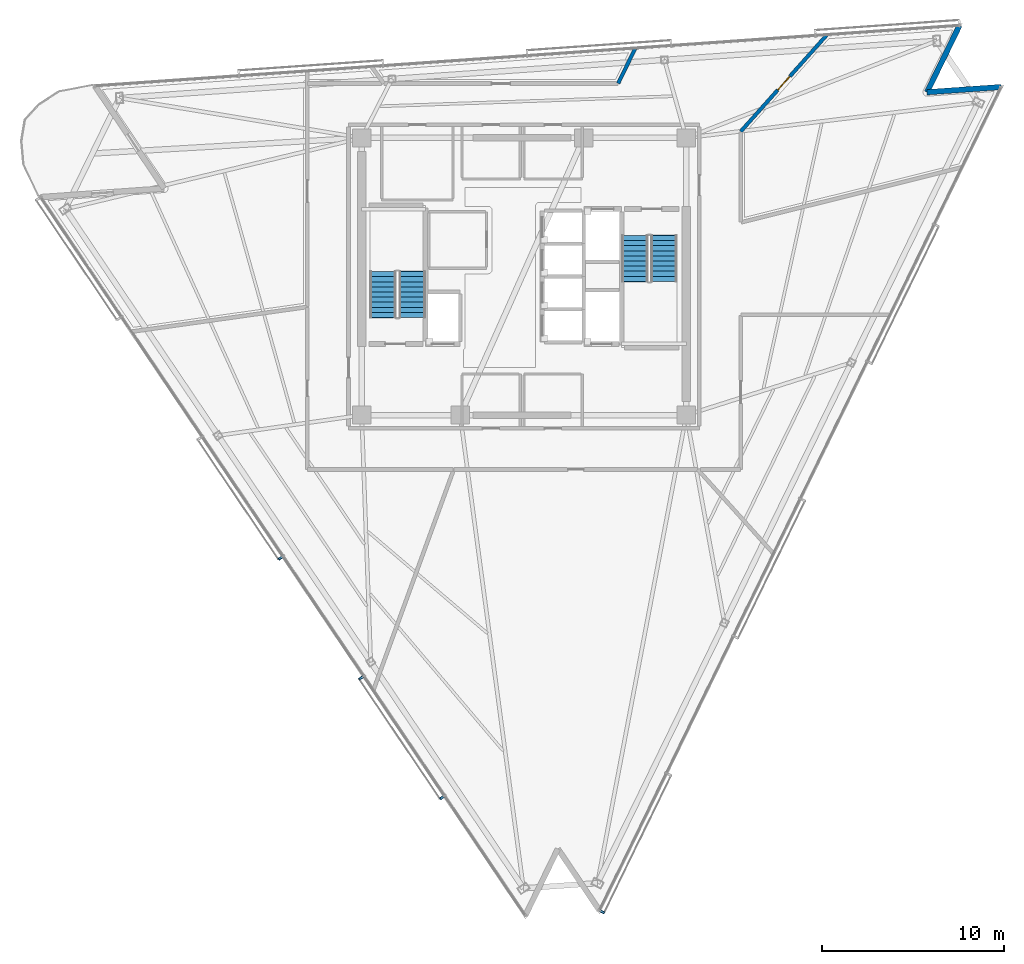
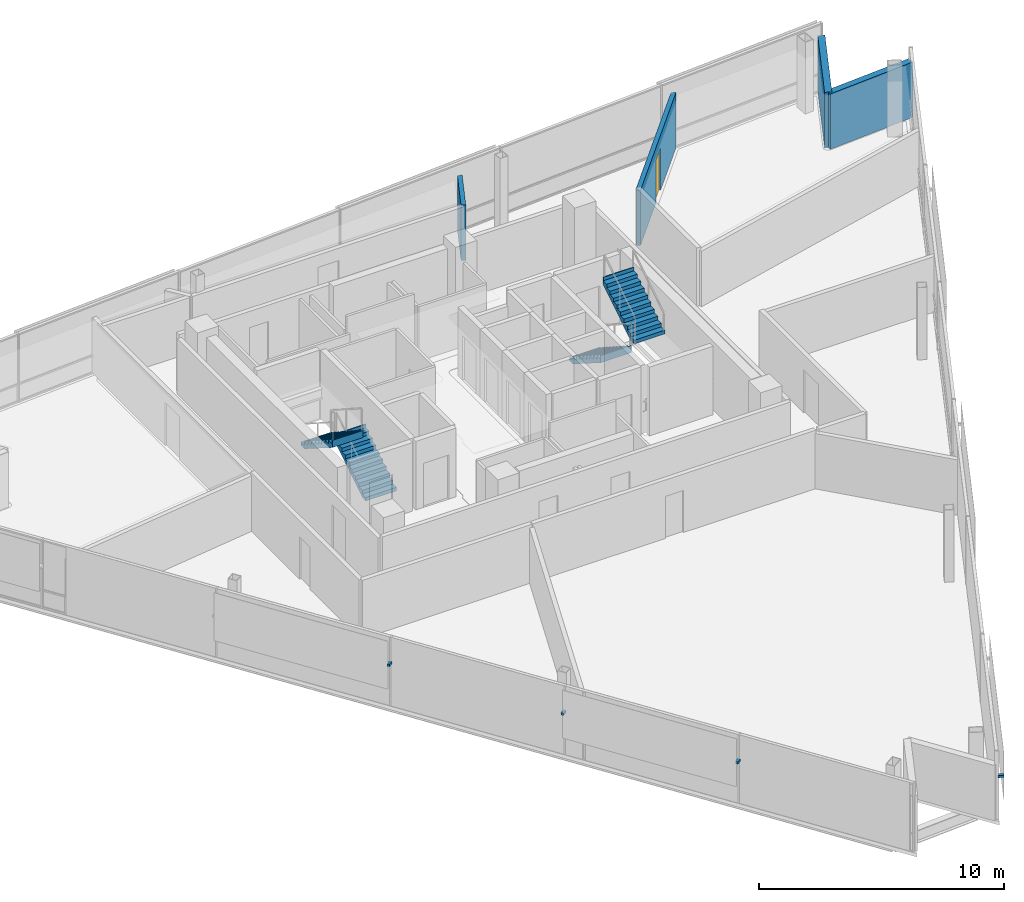
# One storey, part 11 of 16: 4 discrete accessories, 4 stair flights, 4 walls, 1 door, 1 opening, 2 elements without a shape of their own.
"""IFC4 building model written with IfcOpenShell, lengths in metres."""

import ifcopenshell
import ifcopenshell.guid

model = None  # the IFC model being written
_history = None  # IfcOwnerHistory: only IFC2X3 demands one
_inside = {}  # id of a spatial element -> (the spatial element, [elements in it])
_under = {}  # id of a project, library or spatial element -> (it, [spatial elements below it])
_declared = {}  # id of a project -> (the project, [libraries it declares])
_typed = {}  # id of a type object -> (the type object, [elements of that type])
_made_of = {}  # id of a material, layer set ... -> (it, [elements and type objects made of it])


def new_model(schema):
    """Start an empty IFC model of exactly this schema.

    Asked for "IFC4X3", IfcOpenShell would pick the latest addendum, in which some entities
    have other attributes; the version numbers below select the first issue.
    IFC2X3 requires an IfcOwnerHistory on every rooted entity: one is made here for all.
    """
    global model, _history
    if schema == "IFC4X3":
        model = ifcopenshell.file(schema_version=(4, 3, 0, 0))
    else:
        model = ifcopenshell.file(schema=schema)
    _inside.clear()
    _under.clear()
    _declared.clear()
    _typed.clear()
    _made_of.clear()
    _history = None
    if model.schema == "IFC2X3":
        org = make("IfcOrganization", Name="unknown")
        user = make(
            "IfcPersonAndOrganization",
            ThePerson=make("IfcPerson", FamilyName="unknown"),
            TheOrganization=org,
        )
        app = make(
            "IfcApplication",
            ApplicationDeveloper=org,
            Version="unknown",
            ApplicationFullName="unknown",
            ApplicationIdentifier="unknown",
        )
        _history = make(
            "IfcOwnerHistory",
            OwningUser=user,
            OwningApplication=app,
            ChangeAction="ADDED",
            CreationDate=0,
        )
    return model


def make(cls, **values):
    """One entity of the class cls with the attributes given. An attribute that is None is left unset."""
    return model.create_entity(
        cls, **{name: value for name, value in values.items() if value is not None}
    )


def rooted(cls, **values):
    """An entity with a GlobalId (a new one), such as an element, a storey or a relation."""
    return make(cls, GlobalId=ifcopenshell.guid.new(), OwnerHistory=_history, **values)


def si_unit(unit_type, name, prefix=None):
    """IfcSIUnit, for example si_unit("LENGTHUNIT", "METRE", prefix="MILLI")."""
    return make("IfcSIUnit", UnitType=unit_type, Prefix=prefix, Name=name)


def assignment(units):
    """IfcUnitAssignment: the units of a project."""
    return None if units is None else make("IfcUnitAssignment", Units=units)


def point(xyz):
    """IfcCartesianPoint."""
    return None if xyz is None else make("IfcCartesianPoint", Coordinates=xyz)


def direction(xyz):
    """IfcDirection."""
    return None if xyz is None else make("IfcDirection", DirectionRatios=xyz)


def frame(location, z_axis=None, x_axis=None):
    """IfcAxis2Placement3D, a coordinate frame: its origin and axes. An axis left out is left unset."""
    return make(
        "IfcAxis2Placement3D",
        Location=point(location),
        Axis=direction(z_axis),
        RefDirection=direction(x_axis),
    )


def frame_2d(location, x_axis=None):
    """IfcAxis2Placement2D, a coordinate frame in the plane: its origin and x axis."""
    return make(
        "IfcAxis2Placement2D", Location=point(location), RefDirection=direction(x_axis)
    )


def origin():
    """The frame at (0, 0, 0) with its axes left unset."""
    return frame((0.0, 0.0, 0.0))


def origin_2d():
    """The frame at (0, 0) in the plane with its x axis left unset."""
    return frame_2d((0.0, 0.0))


def place(relative_to, where):
    """IfcLocalPlacement: puts the frame where relative to a parent placement (None: the world)."""
    return make(
        "IfcLocalPlacement", PlacementRelTo=relative_to, RelativePlacement=where
    )


def context(
    kind, dimensions, precision=None, world=None, true_north=None, identifier=None
):
    """IfcGeometricRepresentationContext, for example the 3D "Model" context."""
    return make(
        "IfcGeometricRepresentationContext",
        ContextIdentifier=identifier,
        ContextType=kind,
        CoordinateSpaceDimension=dimensions,
        Precision=precision,
        WorldCoordinateSystem=world,
        TrueNorth=true_north,
    )


def subcontext(parent, identifier, kind, view, scale=None):
    """IfcGeometricRepresentationSubContext, for example "Body" below "Model"."""
    return make(
        "IfcGeometricRepresentationSubContext",
        ContextIdentifier=identifier,
        ContextType=kind,
        ParentContext=parent,
        TargetScale=scale,
        TargetView=view,
    )


def project(units=None, contexts=None):
    """IfcProject with its units and contexts."""
    return rooted(
        "IfcProject",
        Name="project",
        RepresentationContexts=contexts,
        UnitsInContext=assignment(units),
    )


def spatial(cls, under=None, at=None, **own):
    """A site, building, storey or space (cls), placed at a placement, below another one or the project."""
    s = rooted(cls, ObjectPlacement=at, **own)
    if under is not None:
        _under.setdefault(under.id(), (under, []))[1].append(s)
    return s


def polyline(points):
    """IfcPolyline through the points."""
    return make("IfcPolyline", Points=[point(p) for p in points])


def profile(cls, at=None, kind="AREA", **sizes):
    """A parametric profile (cls). Its sizes go by their IFC names, for example OverallWidth=200.0."""
    return make(cls, ProfileType=kind, Position=at, **sizes)


def rectangle(**sizes):
    """IfcRectangleProfileDef."""
    return profile("IfcRectangleProfileDef", **sizes)


def outline(outer, holes=None, kind="AREA"):
    """IfcArbitraryClosedProfileDef: a profile drawn as a closed curve; with holes, ...WithVoids."""
    if holes is None:
        return make("IfcArbitraryClosedProfileDef", ProfileType=kind, OuterCurve=outer)
    return make(
        "IfcArbitraryProfileDefWithVoids",
        ProfileType=kind,
        OuterCurve=outer,
        InnerCurves=holes,
    )


def extrude(swept, where, along, depth):
    """IfcExtrudedAreaSolid: the profile swept, set in the frame where, extruded along a direction by depth."""
    return make(
        "IfcExtrudedAreaSolid",
        SweptArea=swept,
        Position=where,
        ExtrudedDirection=direction(along),
        Depth=depth,
    )


def shape(context_of_items, identifier, shape_type, items):
    """IfcShapeRepresentation: the items that make up one representation, for example the "Body"."""
    return make(
        "IfcShapeRepresentation",
        ContextOfItems=context_of_items,
        RepresentationIdentifier=identifier,
        RepresentationType=shape_type,
        Items=items,
    )


def material(Name=None, Category=None):
    """IfcMaterial."""
    return make("IfcMaterial", Name=Name, Category=Category)


def layer(
    of_material, thickness, ventilated=None, Name=None, Category=None, Priority=None
):
    """IfcMaterialLayer: one layer of a wall or slab, of a material (None: an air gap)."""
    return make(
        "IfcMaterialLayer",
        Material=of_material,
        LayerThickness=thickness,
        IsVentilated=ventilated,
        Name=Name,
        Category=Category,
        Priority=Priority,
    )


def layer_set(layers, Name=None):
    """IfcMaterialLayerSet."""
    return make("IfcMaterialLayerSet", MaterialLayers=layers, LayerSetName=Name)


def made_of(thing, what):
    """Note that an element or type object is made of a material, layer set ...; save() writes the relation."""
    if what is not None:
        _made_of.setdefault(what.id(), (what, []))[1].append(thing)
    return thing


def type_object(cls, material=None, **own):
    """A type object (cls), such as IfcWallType, which elements share."""
    return made_of(rooted(cls, **own), material)


def element(
    cls,
    number,
    at=None,
    inside=None,
    cuts=None,
    type_object=None,
    material=None,
    context=None,
    identifier="Body",
    shape_type=None,
    held_by="IfcProductDefinitionShape",
    body=None,
    shapes=None,
    **own,
):
    """One element of the class cls, such as IfcWall. Its Tag is "e" and its number.

    at: its placement. inside: the storey or other place that contains it. cuts: it is an
    opening in that element (IfcRelVoidsElement). A single representation is given by context,
    identifier, shape_type and body (its items); several are given by shapes. held_by: the class
    of the entity that holds the representations. save() writes the other relations.
    """
    e = rooted(cls, Tag="e%d" % number, ObjectPlacement=at, **own)
    if body is not None:
        shapes = [shape(context, identifier, shape_type, body)]
    if shapes is not None:
        e.Representation = make(held_by, Representations=shapes)
    if inside is not None:
        _inside.setdefault(inside.id(), (inside, []))[1].append(e)
    if cuts is not None:
        rooted(
            "IfcRelVoidsElement", RelatingBuildingElement=cuts, RelatedOpeningElement=e
        )
    if type_object is not None:
        _typed.setdefault(type_object.id(), (type_object, []))[1].append(e)
    return made_of(e, material)


def fill(opening, filler):
    """IfcRelFillsElement: the door or window that sits in an opening."""
    return rooted(
        "IfcRelFillsElement",
        RelatingOpeningElement=opening,
        RelatedBuildingElement=filler,
    )


def aggregate(whole, parts):
    """IfcRelAggregates: a whole, such as a stair, and the parts it consists of."""
    return rooted("IfcRelAggregates", RelatingObject=whole, RelatedObjects=parts)


def save(model, path):
    """Write the relations noted so far, then the file.

    IfcRelAggregates (storeys below a building ...), IfcRelContainedInSpatialStructure (elements
    in a storey), IfcRelDefinesByType, IfcRelAssociatesMaterial and IfcRelDeclares: one each for
    every whole, place, type object, material and project.
    """
    for whole, parts in _under.values():
        aggregate(whole, parts)
    for where, things in _inside.values():
        rooted(
            "IfcRelContainedInSpatialStructure",
            RelatedElements=things,
            RelatingStructure=where,
        )
    for kind, things in _typed.values():
        rooted("IfcRelDefinesByType", RelatedObjects=things, RelatingType=kind)
    for what, things in _made_of.values():
        rooted("IfcRelAssociatesMaterial", RelatedObjects=things, RelatingMaterial=what)
    for by, libraries in _declared.values():
        rooted("IfcRelDeclares", RelatingContext=by, RelatedDefinitions=libraries)
    model.write(path)


model = new_model("IFC4")

# Units and contexts
model_context = context("Model", 3, precision=1e-05, world=origin(), true_north=direction((0.0, 1.0)))
body_context = subcontext(model_context, "Body", "Model", "MODEL_VIEW")
ifc_project = project(units=[si_unit("LENGTHUNIT", "METRE"), si_unit("AREAUNIT", "SQUARE_METRE"), si_unit("VOLUMEUNIT", "CUBIC_METRE"), si_unit("PLANEANGLEUNIT", "RADIAN"), si_unit("MASSUNIT", "GRAM", prefix="KILO")], contexts=[model_context])

# Site, building, storey
site_placement = place(None, origin())
site = spatial("IfcSite", under=ifc_project, at=site_placement, CompositionType="ELEMENT")
building_placement = place(site_placement, origin())
building = spatial("IfcBuilding", under=site, at=building_placement, Name="Tharavind Bronze Gate", CompositionType="ELEMENT")
storey_placement = place(building_placement, frame((0.0, 0.0, 257.0)))
storey = spatial("IfcBuildingStorey", under=building, at=storey_placement, Name="L66", CompositionType="ELEMENT", Elevation=257.0)

# Walls
ifc_material_1 = material(Name="Concrete C40/50", Category="concrete")
ifc_layer_1 = layer(ifc_material_1, 0.300048828125)
ifc_layer_set_1 = layer_set([ifc_layer_1], Name="Concrete C40/50")
wall_type_1 = type_object("IfcWallType", Name="EXTERIOR SPANDREL WALL 300", PredefinedType="STANDARD", material=ifc_layer_set_1)
for number, where, z_axis, x_axis, name in (
    (1, (26.1552734375, 10.388427734375, 0.0), (0.0, 0.0, 1.0), (-0.997565400947, -0.06973715533, 0.0), "L66 notch cheek wall 3A"),
    (2, (22.09716796875, 10.104736328125, 0.0), (0.0, 0.0, 1.0), (0.438405895792, 0.898777097246, 0.0), "L66 notch cheek wall 3B"),
):
    element("IfcWall", number, at=place(storey_placement, frame(where, z_axis=z_axis, x_axis=x_axis)), inside=storey, type_object=wall_type_1, Name=name, PredefinedType="STANDARD", context=body_context, shape_type="SweptSolid", body=[
        extrude(rectangle(XDim=4.068115234375, YDim=0.300048828125, at=frame_2d((2.0341796875, 0.0))), origin(), (0.0, 0.0, 1.0), 2.764892578125),
    ])

# Wall, opening, door
ifc_material_2 = material(Name="Aerated Concrete Block", Category="concrete")
ifc_layer_2 = layer(ifc_material_2, 0.199951171875)
ifc_layer_set_2 = layer_set([ifc_layer_2], Name="Aerated Concrete Block")
wall_type_2 = type_object("IfcWallType", Name="FIRE RATED PARTITION 200", PredefinedType="PARTITIONING", material=ifc_layer_set_2)
wall_1_placement = place(storey_placement, frame((11.88623046875, 7.952880859375, 0.0), z_axis=(0.0, 0.0, 1.0), x_axis=(0.66568987099, 0.746228514372, 0.0)))
wall_1 = element("IfcWall", 3, at=wall_1_placement, inside=storey, type_object=wall_type_2, Name="L66 Global Headquarters Open Office partition", PredefinedType="PARTITIONING", context=body_context, shape_type="SweptSolid", body=[
    extrude(rectangle(XDim=7.1025390625, YDim=0.199951171875, at=frame_2d((3.55126953125, 0.0))), origin(), (0.0, 0.0, 1.0), 2.764892578125),
])
opening_placement = place(wall_1_placement, frame((3.051025390625, 0.0, 0.0)))
opening = element("IfcOpeningElement", 4, at=opening_placement, cuts=wall_1, Name="Opening ID04", PredefinedType="OPENING", context=body_context, shape_type="SweptSolid", body=[
    extrude(rectangle(XDim=1.0, YDim=2.14990234375, at=frame_2d((0.5, 1.074951171875))), frame((0.0, 0.11009765625, 0.0), z_axis=(0.0, -1.0, 0.0), x_axis=(1.0, 0.0, 0.0)), (0.0, 0.0, 1.0), 0.219951171875),
])
ifc_material_3 = material(Name="Bronze Framed Acoustic Timber", Category="wood")
door_type = type_object("IfcDoorType", Name="OFFICE TENANCY DOOR 1000X2150", OperationType="SINGLE_SWING_RIGHT", PredefinedType="DOOR", material=ifc_material_3)
door_placement = place(opening_placement, origin())
door = element("IfcDoor", 5, at=door_placement, inside=storey, type_object=door_type, Name="L66 Global Headquarters Open Office door", OperationType="SINGLE_SWING_RIGHT", OverallHeight=2.14990234375, OverallWidth=1.0, PredefinedType="DOOR", context=body_context, shape_type="SweptSolid", body=[
    extrude(rectangle(XDim=1.0, YDim=2.14990234375, at=frame_2d((0.5, 1.074951171875))), frame((0.0, 0.02490234375, 0.0), z_axis=(0.0, -1.0, 0.0), x_axis=(1.0, 0.0, 0.0)), (0.0, 0.0, 1.0), 0.050048828125),
])
fill(opening, door)

# Wall
wall_2_placement = place(storey_placement, frame((6.10546875, 12.51806640625, 0.0), z_axis=(0.0, 0.0, 1.0), x_axis=(-0.438387681023, -0.898785981826, 0.0)))
element("IfcWall", 6, at=wall_2_placement, inside=storey, type_object=wall_type_2, Name="L66 Executive Strategy Office partition", PredefinedType="PARTITIONING", context=body_context, shape_type="SweptSolid", body=[
    extrude(rectangle(XDim=2.140625, YDim=0.199951171875, at=frame_2d((1.0703125, 0.0))), origin(), (0.0, 0.0, 1.0), 2.764892578125),
])

# Stair, stair flights
stair_type = type_object("IfcStairType", Name="CORE HALF TURN STAIR 1450", PredefinedType="HALF_TURN_STAIR", material=ifc_material_1)
stair_1_placement = place(storey_placement, origin())
stair_1 = element("IfcStair", 7, at=stair_1_placement, inside=storey, type_object=stair_type, Name="L66 Protected Exit Stair ST1", PredefinedType="HALF_TURN_STAIR")
stair_flight_type = type_object("IfcStairFlightType", Name="CORE STAIR FLIGHT 1450", PredefinedType="STRAIGHT", material=ifc_material_1)
stair_flight_1_placement = place(storey_placement, frame((-6.125, -2.25, 0.0), z_axis=(0.0, 0.0, 1.0), x_axis=(0.0, 1.0, 0.0)))
stair_flight_1 = element("IfcStairFlight", 8, at=stair_flight_1_placement, type_object=stair_flight_type, Name="ST1 flight 1", NumberOfRisers=10, NumberOfTreads=9, PredefinedType="STRAIGHT", RiserHeight=0.18, TreadLength=0.28, context=body_context, shape_type="SweptSolid", body=[
    extrude(outline(polyline([(0.0, 0.0), (0.0, 0.179931640625), (0.280029296875, 0.179931640625), (0.280029296875, 0.360107421875), (0.56005859375, 0.360107421875), (0.56005859375, 0.5400390625), (0.840087890625, 0.5400390625), (0.840087890625, 0.719970703125), (1.1201171875, 0.719970703125), (1.1201171875, 0.89990234375), (1.39990234375, 0.89990234375), (1.39990234375, 1.080078125), (1.679931640625, 1.080078125), (1.679931640625, 1.260009765625), (1.9599609375, 1.260009765625), (1.9599609375, 1.43994140625), (2.239990234375, 1.43994140625), (2.239990234375, 1.6201171875), (2.52001953125, 1.6201171875), (2.52001953125, 1.800048828125), (2.555908203125, 1.800048828125), (2.555908203125, 1.44189453125), (0.277099609375, 0.0), (0.0, 0.0)])), frame((0.0, 0.72509765625, 0.0), z_axis=(0.0, -1.0, 0.0), x_axis=(1.0, 0.0, 0.0)), (0.0, 0.0, 1.0), 1.449951171875),
])
stair_flight_2_placement = place(storey_placement, frame((-7.72509765625, 0.27001953125, 1.800048828125), z_axis=(0.0, 0.0, 1.0), x_axis=(0.0, -1.0, 0.0)))
stair_flight_2 = element("IfcStairFlight", 9, at=stair_flight_2_placement, type_object=stair_flight_type, Name="ST1 flight 2", NumberOfRisers=10, NumberOfTreads=9, PredefinedType="STRAIGHT", RiserHeight=0.18, TreadLength=0.28, context=body_context, shape_type="SweptSolid", body=[
    extrude(outline(polyline([(0.0, 0.0), (0.0, 0.179931640625), (0.280029296875, 0.179931640625), (0.280029296875, 0.360107421875), (0.56005859375, 0.360107421875), (0.56005859375, 0.5400390625), (0.840087890625, 0.5400390625), (0.840087890625, 0.719970703125), (1.1201171875, 0.719970703125), (1.1201171875, 0.89990234375), (1.39990234375, 0.89990234375), (1.39990234375, 1.080078125), (1.679931640625, 1.080078125), (1.679931640625, 1.260009765625), (1.9599609375, 1.260009765625), (1.9599609375, 1.43994140625), (2.239990234375, 1.43994140625), (2.239990234375, 1.6201171875), (2.52001953125, 1.6201171875), (2.52001953125, 1.800048828125), (2.555908203125, 1.800048828125), (2.555908203125, 1.44189453125), (0.277099609375, 0.0), (0.0, 0.0)])), frame((0.0, 0.72509765625, 0.0), z_axis=(0.0, -1.0, 0.0), x_axis=(1.0, 0.0, 0.0)), (0.0, 0.0, 1.0), 1.449951171875),
])
aggregate(stair_1, [stair_flight_1, stair_flight_2])

stair_2_placement = place(storey_placement, origin())
stair_2 = element("IfcStair", 10, at=stair_2_placement, inside=storey, type_object=stair_type, Name="L66 Protected Exit Stair ST2", PredefinedType="HALF_TURN_STAIR")
stair_flight_3_placement = place(storey_placement, frame((6.074951171875, 2.25, 0.0), z_axis=(0.0, 0.0, 1.0), x_axis=(0.0, -1.0, 0.0)))
stair_flight_3 = element("IfcStairFlight", 11, at=stair_flight_3_placement, type_object=stair_flight_type, Name="ST2 flight 1", NumberOfRisers=10, NumberOfTreads=9, PredefinedType="STRAIGHT", RiserHeight=0.18, TreadLength=0.28, context=body_context, shape_type="SweptSolid", body=[
    extrude(outline(polyline([(0.0, 0.0), (0.0, 0.179931640625), (0.280029296875, 0.179931640625), (0.280029296875, 0.360107421875), (0.56005859375, 0.360107421875), (0.56005859375, 0.5400390625), (0.840087890625, 0.5400390625), (0.840087890625, 0.719970703125), (1.1201171875, 0.719970703125), (1.1201171875, 0.89990234375), (1.39990234375, 0.89990234375), (1.39990234375, 1.080078125), (1.679931640625, 1.080078125), (1.679931640625, 1.260009765625), (1.9599609375, 1.260009765625), (1.9599609375, 1.43994140625), (2.239990234375, 1.43994140625), (2.239990234375, 1.6201171875), (2.52001953125, 1.6201171875), (2.52001953125, 1.800048828125), (2.555908203125, 1.800048828125), (2.555908203125, 1.44189453125), (0.277099609375, 0.0), (0.0, 0.0)])), frame((0.0, 0.72509765625, 0.0), z_axis=(0.0, -1.0, 0.0), x_axis=(1.0, 0.0, 0.0)), (0.0, 0.0, 1.0), 1.449951171875),
])
stair_flight_4_placement = place(storey_placement, frame((7.675048828125, -0.27001953125, 1.800048828125), z_axis=(0.0, 0.0, 1.0), x_axis=(0.0, 1.0, 0.0)))
stair_flight_4 = element("IfcStairFlight", 12, at=stair_flight_4_placement, type_object=stair_flight_type, Name="ST2 flight 2", NumberOfRisers=10, NumberOfTreads=9, PredefinedType="STRAIGHT", RiserHeight=0.18, TreadLength=0.28, context=body_context, shape_type="SweptSolid", body=[
    extrude(outline(polyline([(0.0, 0.0), (0.0, 0.179931640625), (0.280029296875, 0.179931640625), (0.280029296875, 0.360107421875), (0.56005859375, 0.360107421875), (0.56005859375, 0.5400390625), (0.840087890625, 0.5400390625), (0.840087890625, 0.719970703125), (1.1201171875, 0.719970703125), (1.1201171875, 0.89990234375), (1.39990234375, 0.89990234375), (1.39990234375, 1.080078125), (1.679931640625, 1.080078125), (1.679931640625, 1.260009765625), (1.9599609375, 1.260009765625), (1.9599609375, 1.43994140625), (2.239990234375, 1.43994140625), (2.239990234375, 1.6201171875), (2.52001953125, 1.6201171875), (2.52001953125, 1.800048828125), (2.555908203125, 1.800048828125), (2.555908203125, 1.44189453125), (0.277099609375, 0.0), (0.0, 0.0)])), frame((0.0, 0.72509765625, 0.0), z_axis=(0.0, -1.0, 0.0), x_axis=(1.0, 0.0, 0.0)), (0.0, 0.0, 1.0), 1.449951171875),
])
aggregate(stair_2, [stair_flight_3, stair_flight_4])

# Discrete accessories
ifc_material_4 = material(Name="Stainless Steel 316", Category="steel")
discrete_accessory_type = type_object("IfcDiscreteAccessoryType", Name="SOLAR SCREEN STANDOFF BRACKET", PredefinedType="BRACKET", material=ifc_material_4)
for number, where, z_axis, x_axis, name in (
    (13, (-13.3603515625, -15.447265625, 2.099853515625), (0.0, 0.0, 1.0), (0.559191456526, -0.82903854853, 0.0), "CW-L66-S1 solar screen bracket 3.2"),
    (14, (-8.931396484375, -22.013427734375, 2.099853515625), (0.0, 0.0, 1.0), (0.559191456526, -0.82903854853, 0.0), "CW-L66-S1 solar screen bracket 5.1"),
    (15, (-4.502197265625, -28.579833984375, 2.099853515625), (0.0, 0.0, 1.0), (0.559191456526, -0.82903854853, 0.0), "CW-L66-S1 solar screen bracket 5.2"),
    (16, (4.2958984375, -34.840576171875, 2.099853515625), (0.0, 0.0, 1.0), (0.43837271548, 0.898793281196, 0.0), "CW-L66-S2 solar screen bracket 1.1"),
):
    element("IfcDiscreteAccessory", number, at=place(storey_placement, frame(where, z_axis=z_axis, x_axis=x_axis)), inside=storey, type_object=discrete_accessory_type, Name=name, PredefinedType="BRACKET", context=body_context, shape_type="SweptSolid", body=[
        extrude(rectangle(XDim=0.1201171875, YDim=0.239990234375, at=origin_2d()), origin(), (0.0, 0.0, 1.0), 0.1201171875),
    ])

save(model, "model.ifc")
